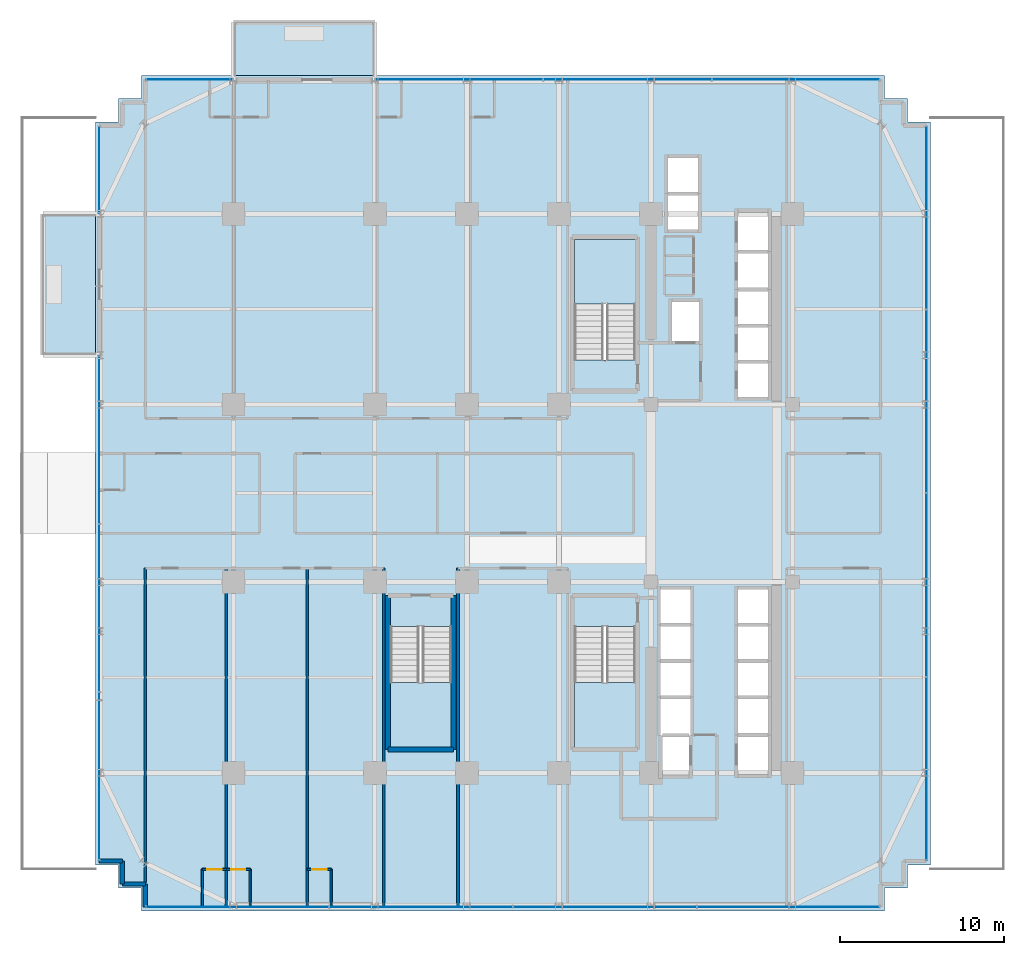
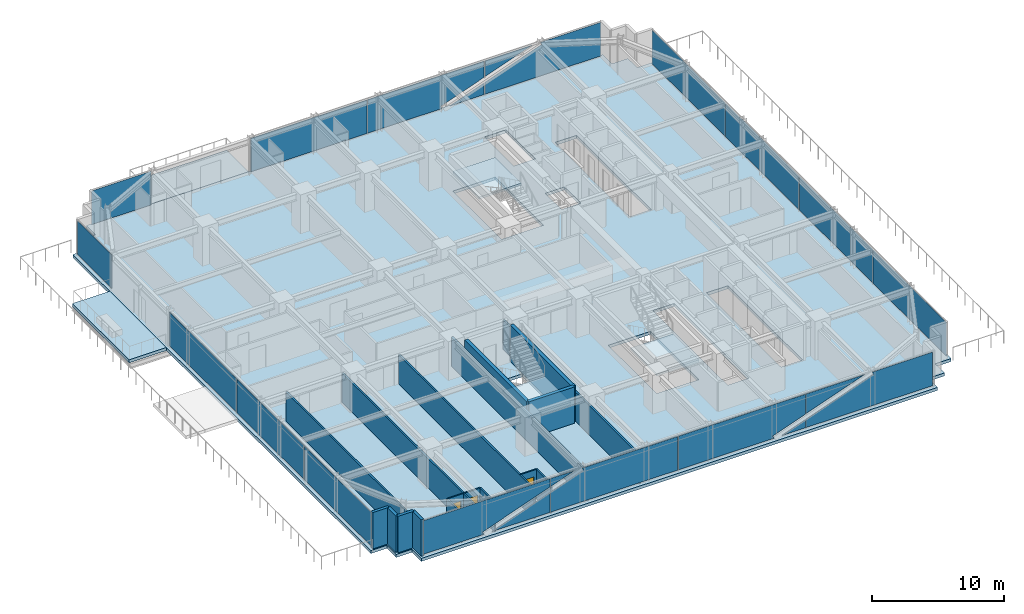
# One storey, part 29 of 39: 18 walls, 16 plates, 6 slabs, 3 doors, 3 openings, 9 elements without a shape of their own.
"""IFC4 building model written with IfcOpenShell, lengths in metres."""

from ifc_helpers import new_model, si_unit, direction, frame, frame_2d, origin, origin_2d, place, context, subcontext, project, spatial, polyline, rectangle, outline, extrude, source, transform, mapped, material, layer, layer_set, type_object, element, fill, aggregate, save


model = new_model("IFC4")

# Units and contexts
model_context = context("Model", 3, precision=1e-05, world=origin(), true_north=direction((0.0, 1.0)))
body_context = subcontext(model_context, "Body", "Model", "MODEL_VIEW")
ifc_project = project(units=[si_unit("LENGTHUNIT", "METRE"), si_unit("AREAUNIT", "SQUARE_METRE"), si_unit("VOLUMEUNIT", "CUBIC_METRE"), si_unit("PLANEANGLEUNIT", "RADIAN"), si_unit("MASSUNIT", "GRAM", prefix="KILO")], contexts=[model_context])

# Site, building, storey
site_placement = place(None, origin())
site = spatial("IfcSite", under=ifc_project, at=site_placement, CompositionType="ELEMENT")
building_placement = place(site_placement, origin())
building = spatial("IfcBuilding", under=site, at=building_placement, Name="Nahalor Promenade Grand Hotel", CompositionType="ELEMENT")
storey_placement = place(building_placement, frame((0.0, 0.0, 32.39990234375)))
storey = spatial("IfcBuildingStorey", under=building, at=storey_placement, Name="L06", CompositionType="ELEMENT", Elevation=32.39990234375)

# Curtain wall, plates
ifc_material_1 = material(Name="Anodised Bronze Aluminium EN AW-6063 T6", Category="aluminium")
curtain_wall_type = type_object("IfcCurtainWallType", Name="CW2 Typical Hotel Flush Bronze Unitised Curtain Wall", PredefinedType="USERDEFINED", material=ifc_material_1)
curtain_wall_1_placement = place(storey_placement, origin())
curtain_wall_1 = element("IfcCurtainWall", 1, at=curtain_wall_1_placement, inside=storey, type_object=curtain_wall_type, Name="L06 Curtain Wall CW-L06-S-1", ObjectType="UNITISED_CURTAIN_WALL", PredefinedType="USERDEFINED")
ifc_material_2 = material(Name="Low-E Laminated Solar Glass", Category="glass")
ifc_layer_1 = layer(ifc_material_2, 0.028076171875)
ifc_layer_set_1 = layer_set([ifc_layer_1], Name="Low-E Laminated Solar Glass")
plate_type = type_object("IfcPlateType", Name="CWP2 Bronze Low-E Vision IGU 28mm", PredefinedType="CURTAIN_PANEL", material=ifc_layer_set_1)
plate_1_placement = place(storey_placement, frame((-16.753662109375, -25.159912109375, 0.1298828125), z_axis=(0.0, 0.0, 1.0), x_axis=(1.0, 0.0, 0.0)))
plate_1 = element("IfcPlate", 2, at=plate_1_placement, type_object=plate_type, Name="CW-L06-S-1 Glazing Panel 0-0", PredefinedType="CURTAIN_PANEL", context=body_context, shape_type="SweptSolid", body=[
    extrude(outline(polyline([(-5.541259765625, 3.110107421875), (-5.541259765625, 0.0), (-0.265625, 0.0), (-0.353759765625, 0.2470703125), (5.541259765625, 2.3515625), (5.541259765625, 3.110107421875), (-5.541259765625, 3.110107421875)])), frame((0.0, 0.01416015625, 0.0), z_axis=(0.0, -1.0, 0.0), x_axis=(1.0, 0.0, 0.0)), (0.0, 0.0, 1.0), 0.028076171875),
    extrude(outline(polyline([(0.44140625, 0.0), (5.541259765625, 0.0), (5.541259765625, 1.820556640625), (0.44140625, 0.0)])), frame((0.0, 0.01416015625, 0.0), z_axis=(0.0, -1.0, 0.0), x_axis=(1.0, 0.0, 0.0)), (0.0, 0.0, 1.0), 0.028076171875),
])
plate_2_placement = place(storey_placement, frame((-5.590087890625, -25.159912109375, 0.1298828125), z_axis=(0.0, 0.0, 1.0), x_axis=(1.0, 0.0, 0.0)))
plate_2 = element("IfcPlate", 3, at=plate_2_placement, type_object=plate_type, Name="CW-L06-S-1 Glazing Panel 1-0", PredefinedType="CURTAIN_PANEL", context=body_context, shape_type="SweptSolid", body=[
    extrude(outline(polyline([(5.5576171875, 0.0), (5.5576171875, 3.110107421875), (-2.79052734375, 3.110107421875), (-2.702392578125, 2.863037109375), (-5.5576171875, 1.84375), (-5.5576171875, 0.0), (5.5576171875, 0.0)])), frame((0.0, 0.01416015625, 0.0), z_axis=(0.0, -1.0, 0.0), x_axis=(1.0, 0.0, 0.0)), (0.0, 0.0, 1.0), 0.028076171875),
    extrude(outline(polyline([(-3.49755859375, 3.110107421875), (-5.5576171875, 3.110107421875), (-5.5576171875, 2.374755859375), (-3.49755859375, 3.110107421875)])), frame((0.0, 0.01416015625, 0.0), z_axis=(0.0, -1.0, 0.0), x_axis=(1.0, 0.0, 0.0)), (0.0, 0.0, 1.0), 0.028076171875),
])
plate_3_placement = place(storey_placement, frame((5.590087890625, -25.159912109375, 0.1298828125), z_axis=(0.0, 0.0, 1.0), x_axis=(1.0, 0.0, 0.0)))
plate_3 = element("IfcPlate", 4, at=plate_3_placement, type_object=plate_type, Name="CW-L06-S-1 Glazing Panel 2-0", PredefinedType="CURTAIN_PANEL", context=body_context, shape_type="SweptSolid", body=[
    extrude(outline(polyline([(-5.5576171875, 3.110107421875), (-5.5576171875, 0.0), (2.79052734375, 0.0), (2.702392578125, 0.2470703125), (5.5576171875, 1.266357421875), (5.5576171875, 3.110107421875), (-5.5576171875, 3.110107421875)])), frame((0.0, 0.01416015625, 0.0), z_axis=(0.0, -1.0, 0.0), x_axis=(1.0, 0.0, 0.0)), (0.0, 0.0, 1.0), 0.028076171875),
    extrude(outline(polyline([(3.49755859375, 0.0), (5.5576171875, 0.0), (5.5576171875, 0.7353515625), (3.49755859375, 0.0)])), frame((0.0, 0.01416015625, 0.0), z_axis=(0.0, -1.0, 0.0), x_axis=(1.0, 0.0, 0.0)), (0.0, 0.0, 1.0), 0.028076171875),
])
plate_4_placement = place(storey_placement, frame((16.753662109375, -25.159912109375, 0.1298828125), z_axis=(0.0, 0.0, 1.0), x_axis=(1.0, 0.0, 0.0)))
plate_4 = element("IfcPlate", 5, at=plate_4_placement, type_object=plate_type, Name="CW-L06-S-1 Glazing Panel 3-0", PredefinedType="CURTAIN_PANEL", context=body_context, shape_type="SweptSolid", body=[
    extrude(outline(polyline([(5.541259765625, 0.0), (5.541259765625, 3.110107421875), (0.265625, 3.110107421875), (0.353759765625, 2.863037109375), (-5.541259765625, 0.758544921875), (-5.541259765625, 0.0), (5.541259765625, 0.0)])), frame((0.0, 0.01416015625, 0.0), z_axis=(0.0, -1.0, 0.0), x_axis=(1.0, 0.0, 0.0)), (0.0, 0.0, 1.0), 0.028076171875),
    extrude(outline(polyline([(-0.44140625, 3.110107421875), (-5.541259765625, 3.110107421875), (-5.541259765625, 1.28955078125), (-0.44140625, 3.110107421875)])), frame((0.0, 0.01416015625, 0.0), z_axis=(0.0, -1.0, 0.0), x_axis=(1.0, 0.0, 0.0)), (0.0, 0.0, 1.0), 0.028076171875),
])
aggregate(curtain_wall_1, [plate_1, plate_2, plate_3, plate_4])

curtain_wall_2_placement = place(storey_placement, origin())
curtain_wall_2 = element("IfcCurtainWall", 6, at=curtain_wall_2_placement, inside=storey, type_object=curtain_wall_type, Name="L06 Curtain Wall CW-L06-N-3", ObjectType="UNITISED_CURTAIN_WALL", PredefinedType="USERDEFINED")
plate_5_placement = place(storey_placement, frame((6.97998046875, 25.159912109375, 0.1298828125), z_axis=(0.0, 0.0, 1.0), x_axis=(1.0, 0.0, 0.0)))
plate_5 = element("IfcPlate", 7, at=plate_5_placement, type_object=plate_type, Name="CW-L06-N-3 Glazing Panel 1-0", PredefinedType="CURTAIN_PANEL", context=body_context, shape_type="SweptSolid", body=[
    extrude(outline(polyline([(-5.09423828125, 3.110107421875), (-5.09423828125, 0.0), (1.400634765625, 0.0), (1.3125, 0.2470703125), (5.09423828125, 1.596923828125), (5.09423828125, 3.110107421875), (-5.09423828125, 3.110107421875)])), frame((0.0, 0.01416015625, 0.0), z_axis=(0.0, -1.0, 0.0), x_axis=(1.0, 0.0, 0.0)), (0.0, 0.0, 1.0), 0.028076171875),
    extrude(outline(polyline([(2.107666015625, 0.0), (5.09423828125, 0.0), (5.09423828125, 1.066162109375), (2.107666015625, 0.0)])), frame((0.0, 0.01416015625, 0.0), z_axis=(0.0, -1.0, 0.0), x_axis=(1.0, 0.0, 0.0)), (0.0, 0.0, 1.0), 0.028076171875),
])
plate_6_placement = place(storey_placement, frame((17.217041015625, 25.159912109375, 0.1298828125), z_axis=(0.0, 0.0, 1.0), x_axis=(1.0, 0.0, 0.0)))
plate_6 = element("IfcPlate", 8, at=plate_6_placement, type_object=plate_type, Name="CW-L06-N-3 Glazing Panel 2-0", PredefinedType="CURTAIN_PANEL", context=body_context, shape_type="SweptSolid", body=[
    extrude(outline(polyline([(5.077880859375, 0.0), (5.077880859375, 3.110107421875), (-0.19775390625, 3.110107421875), (-0.109375, 2.863037109375), (-5.077880859375, 1.08935546875), (-5.077880859375, 0.0), (5.077880859375, 0.0)])), frame((0.0, 0.01416015625, 0.0), z_axis=(0.0, -1.0, 0.0), x_axis=(1.0, 0.0, 0.0)), (0.0, 0.0, 1.0), 0.028076171875),
    extrude(outline(polyline([(-0.90478515625, 3.110107421875), (-5.077880859375, 3.110107421875), (-5.077880859375, 1.620361328125), (-0.90478515625, 3.110107421875)])), frame((0.0, 0.01416015625, 0.0), z_axis=(0.0, -1.0, 0.0), x_axis=(1.0, 0.0, 0.0)), (0.0, 0.0, 1.0), 0.028076171875),
])

# Stair, slab
ifc_material_3 = material(Name="Concrete B-50 (C40/50)", Category="concrete")
stair_type_1 = type_object("IfcStairType", Name="Stair-ST1", PredefinedType="HALF_TURN_STAIR", material=ifc_material_3)
stair_1_placement = place(storey_placement, origin())
stair_1 = element("IfcStair", 9, at=stair_1_placement, inside=storey, type_object=stair_type_1, Name="L06 ST1", PredefinedType="HALF_TURN_STAIR")
ifc_layer_2 = layer(ifc_material_3, 0.199951171875)
ifc_layer_set_2 = layer_set([ifc_layer_2], Name="Concrete B-50 (C40/50)")
slab_type_1 = type_object("IfcSlabType", Name="Landing-ST1", PredefinedType="LANDING", material=ifc_layer_set_2)
slab_1_placement = place(storey_placement, frame((0.0, 0.0, 1.625)))
slab_1 = element("IfcSlab", 10, at=slab_1_placement, type_object=slab_type_1, Name="ST1 landing 1", PredefinedType="LANDING", context=body_context, shape_type="SweptSolid", body=[
    extrude(outline(polyline([(7.449951171875, 11.5), (7.449951171875, 15.449951171875), (3.75, 15.449951171875), (3.75, 11.5), (7.449951171875, 11.5)])), origin(), (0.0, 0.0, 1.0), 0.2001953125),
])
aggregate(stair_1, [slab_1])

stair_type_2 = type_object("IfcStairType", Name="Stair-ST2", PredefinedType="HALF_TURN_STAIR", material=ifc_material_3)
stair_2_placement = place(storey_placement, origin())
stair_2 = element("IfcStair", 11, at=stair_2_placement, inside=storey, type_object=stair_type_2, Name="L06 ST2", PredefinedType="HALF_TURN_STAIR")
ifc_layer_3 = layer(ifc_material_3, 0.2099609375)
ifc_layer_set_3 = layer_set([ifc_layer_3], Name="Concrete B-50 (C40/50)")
slab_type_2 = type_object("IfcSlabType", Name="Landing-ST2", PredefinedType="LANDING", material=ifc_layer_set_3)
slab_2_placement = place(storey_placement, frame((0.0, 0.0, 1.614990234375)))
slab_2 = element("IfcSlab", 12, at=slab_2_placement, type_object=slab_type_2, Name="ST2 landing 1", PredefinedType="LANDING", context=body_context, shape_type="SweptSolid", body=[
    extrude(outline(polyline([(3.75, -11.5), (3.75, -15.449951171875), (7.449951171875, -15.449951171875), (7.449951171875, -11.5), (3.75, -11.5)])), origin(), (0.0, 0.0, 1.0), 0.210205078125),
])
aggregate(stair_2, [slab_2])

stair_type_3 = type_object("IfcStairType", Name="Stair-ST3", PredefinedType="HALF_TURN_STAIR", material=ifc_material_3)
stair_3_placement = place(storey_placement, origin())
stair_3 = element("IfcStair", 13, at=stair_3_placement, inside=storey, type_object=stair_type_3, Name="L06 ST3", PredefinedType="HALF_TURN_STAIR")
ifc_layer_4 = layer(ifc_material_3, 0.219970703125)
ifc_layer_set_4 = layer_set([ifc_layer_4], Name="Concrete B-50 (C40/50)")
slab_type_3 = type_object("IfcSlabType", Name="Landing-ST3", PredefinedType="LANDING", material=ifc_layer_set_4)
slab_3_placement = place(storey_placement, frame((0.0, 0.0, 1.60498046875)))
slab_3 = element("IfcSlab", 14, at=slab_3_placement, type_object=slab_type_3, Name="ST3 landing 1", PredefinedType="LANDING", context=body_context, shape_type="SweptSolid", body=[
    extrude(outline(polyline([(-7.449951171875, -11.5), (-7.449951171875, -15.449951171875), (-3.75, -15.449951171875), (-3.75, -11.5), (-7.449951171875, -11.5)])), origin(), (0.0, 0.0, 1.0), 0.22021484375),
])
aggregate(stair_3, [slab_3])

# Slabs
ifc_layer_5 = layer(ifc_material_3, 0.280029296875)
ifc_layer_set_5 = layer_set([ifc_layer_5], Name="Concrete B-50 (C40/50)")
slab_type_4 = type_object("IfcSlabType", Name="Slab-Balcony-280", PredefinedType="FLOOR", material=ifc_layer_set_5)
slab_4_placement = place(storey_placement, frame((0.0, 0.0, -0.27978515625)))
element("IfcSlab", 15, at=slab_4_placement, inside=storey, type_object=slab_type_4, Name="L06 Cantilevered Planted Balcony 1", PredefinedType="FLOOR", context=body_context, shape_type="SweptSolid", body=[
    extrude(outline(polyline([(-17.0, 25.39990234375), (-8.39990234375, 25.39990234375), (-8.39990234375, 28.719970703125), (-17.0, 28.719970703125), (-17.0, 25.39990234375)])), origin(), (0.0, 0.0, 1.0), 0.27978515625),
])
slab_5_placement = place(storey_placement, frame((0.0, 0.0, -0.27978515625)))
element("IfcSlab", 16, at=slab_5_placement, inside=storey, type_object=slab_type_4, Name="L06 Cantilevered Planted Balcony 2", PredefinedType="FLOOR", context=body_context, shape_type="SweptSolid", body=[
    extrude(outline(polyline([(-28.669921875, 8.39990234375), (-25.39990234375, 8.39990234375), (-25.39990234375, 17.0), (-28.669921875, 17.0), (-28.669921875, 8.39990234375)])), origin(), (0.0, 0.0, 1.0), 0.27978515625),
])
ifc_layer_6 = layer(ifc_material_3, 0.280029296875)
ifc_layer_set_6 = layer_set([ifc_layer_6], Name="Concrete B-50 (C40/50)")
slab_type_5 = type_object("IfcSlabType", Name="Slab-TowerZ1-280", PredefinedType="FLOOR", material=ifc_layer_set_6)
slab_6_placement = place(storey_placement, frame((0.0, 0.0, -0.27978515625)))
element("IfcSlab", 17, at=slab_6_placement, inside=storey, type_object=slab_type_5, Name="L06 Suspended Structural Floor Slab", PredefinedType="FLOOR", context=body_context, shape_type="SweptSolid", body=[
    extrude(outline(polyline([(-22.60009765625, -25.39990234375), (22.60009765625, -25.39990234375), (22.60009765625, -24.0), (24.0, -24.0), (24.0, -22.60009765625), (25.39990234375, -22.60009765625), (25.39990234375, 22.60009765625), (24.0, 22.60009765625), (24.0, 24.0), (22.60009765625, 24.0), (22.60009765625, 25.39990234375), (-22.60009765625, 25.39990234375), (-22.60009765625, 24.0), (-24.0, 24.0), (-24.0, 22.60009765625), (-25.39990234375, 22.60009765625), (-25.39990234375, -22.60009765625), (-24.0, -22.60009765625), (-24.0, -24.0), (-22.60009765625, -24.0), (-22.60009765625, -25.39990234375)]), holes=[polyline([(3.75, 8.10009765625), (7.449951171875, 8.10009765625), (7.449951171875, 15.449951171875), (3.75, 15.449951171875), (3.75, 8.10009765625)]), polyline([(3.75, -15.449951171875), (7.449951171875, -15.449951171875), (7.449951171875, -8.10009765625), (3.75, -8.10009765625), (3.75, -15.449951171875)]), polyline([(-7.449951171875, -15.449951171875), (-3.75, -15.449951171875), (-3.75, -8.10009765625), (-7.449951171875, -8.10009765625), (-7.449951171875, -15.449951171875)]), polyline([(13.659912109375, 5.81005859375), (15.5400390625, 5.81005859375), (15.5400390625, 17.139892578125), (13.659912109375, 17.139892578125), (13.659912109375, 5.81005859375)]), polyline([(13.659912109375, -17.139892578125), (15.5400390625, -17.139892578125), (15.5400390625, -5.81005859375), (13.659912109375, -5.81005859375), (13.659912109375, -17.139892578125)]), polyline([(8.9599609375, -17.18994140625), (10.840087890625, -17.18994140625), (10.840087890625, -5.81005859375), (8.9599609375, -5.81005859375), (8.9599609375, -17.18994140625)]), polyline([(9.409912109375, 16.010009765625), (11.2900390625, 16.010009765625), (11.2900390625, 20.43994140625), (9.409912109375, 20.43994140625), (9.409912109375, 16.010009765625)]), polyline([(9.659912109375, 9.2099609375), (11.340087890625, 9.2099609375), (11.340087890625, 11.68994140625), (9.659912109375, 11.68994140625), (9.659912109375, 9.2099609375)])]), origin(), (0.0, 0.0, 1.0), 0.27978515625),
])

# Curtain wall, plate
curtain_wall_3_placement = place(storey_placement, origin())
curtain_wall_3 = element("IfcCurtainWall", 18, at=curtain_wall_3_placement, inside=storey, type_object=curtain_wall_type, Name="L06 Curtain Wall CW-L06-N-1", ObjectType="UNITISED_CURTAIN_WALL", PredefinedType="USERDEFINED")
shared_shape_1 = source(origin(), body_context, "Body", "SweptSolid", [
    extrude(rectangle(XDim=5.22998046875, YDim=0.028076171875, at=origin_2d()), origin(), (0.0, 0.0, 1.0), 3.110107421875),
])
plate_7_placement = place(storey_placement, frame((-19.679931640625, 25.159912109375, 0.1298828125), z_axis=(0.0, 0.0, 1.0), x_axis=(1.0, 0.0, 0.0)))
plate_7 = element("IfcPlate", 19, at=plate_7_placement, type_object=plate_type, Name="CW-L06-N-1 Glazing Panel 0-0", PredefinedType="CURTAIN_PANEL", context=body_context, shape_type="MappedRepresentation", body=[
    mapped(shared_shape_1, transform((0.0, 0.0, 0.0), scale=1.0)),
])
aggregate(curtain_wall_3, [plate_7])

curtain_wall_4_placement = place(storey_placement, origin())
curtain_wall_4 = element("IfcCurtainWall", 20, at=curtain_wall_4_placement, inside=storey, type_object=curtain_wall_type, Name="L06 Curtain Wall CW-L06-W-3", ObjectType="UNITISED_CURTAIN_WALL", PredefinedType="USERDEFINED")
plate_8_placement = place(storey_placement, frame((-25.159912109375, 19.679931640625, 0.1298828125), z_axis=(0.0, 0.0, 1.0), x_axis=(0.0, 1.0, 0.0)))
plate_8 = element("IfcPlate", 21, at=plate_8_placement, type_object=plate_type, Name="CW-L06-W-3 Glazing Panel 0-0", PredefinedType="CURTAIN_PANEL", context=body_context, shape_type="MappedRepresentation", body=[
    mapped(shared_shape_1, transform((0.0, 0.0, 0.0), scale=1.0)),
])
aggregate(curtain_wall_4, [plate_8])

# Plate
shared_shape_2 = source(origin(), body_context, "Body", "SweptSolid", [
    extrude(rectangle(XDim=10.15576171875, YDim=0.028076171875, at=origin_2d()), origin(), (0.0, 0.0, 1.0), 3.110107421875),
])
plate_9_placement = place(storey_placement, frame((-3.257080078125, 25.159912109375, 0.1298828125), z_axis=(0.0, 0.0, 1.0), x_axis=(1.0, 0.0, 0.0)))
plate_9 = element("IfcPlate", 22, at=plate_9_placement, type_object=plate_type, Name="CW-L06-N-3 Glazing Panel 0-0", PredefinedType="CURTAIN_PANEL", context=body_context, shape_type="MappedRepresentation", body=[
    mapped(shared_shape_2, transform((0.0, 0.0, 0.0), scale=1.0)),
])

aggregate(curtain_wall_2, [plate_9, plate_5, plate_6])

# Curtain wall, plates
curtain_wall_5_placement = place(storey_placement, origin())
curtain_wall_5 = element("IfcCurtainWall", 23, at=curtain_wall_5_placement, inside=storey, type_object=curtain_wall_type, Name="L06 Curtain Wall CW-L06-W-1", ObjectType="UNITISED_CURTAIN_WALL", PredefinedType="USERDEFINED")
plate_10_placement = place(storey_placement, frame((-25.159912109375, -17.217041015625, 0.1298828125), z_axis=(0.0, 0.0, 1.0), x_axis=(0.0, 1.0, 0.0)))
plate_10 = element("IfcPlate", 24, at=plate_10_placement, type_object=plate_type, Name="CW-L06-W-1 Glazing Panel 0-0", PredefinedType="CURTAIN_PANEL", context=body_context, shape_type="MappedRepresentation", body=[
    mapped(shared_shape_2, transform((0.0, 0.0, 0.0), scale=1.0)),
])
plate_11_placement = place(storey_placement, frame((-25.159912109375, 3.257080078125, 0.1298828125), z_axis=(0.0, 0.0, 1.0), x_axis=(0.0, 1.0, 0.0)))
plate_11 = element("IfcPlate", 25, at=plate_11_placement, type_object=plate_type, Name="CW-L06-W-1 Glazing Panel 2-0", PredefinedType="CURTAIN_PANEL", context=body_context, shape_type="MappedRepresentation", body=[
    mapped(shared_shape_2, transform((0.0, 0.0, 0.0), scale=1.0)),
])
shared_shape_3 = source(origin(), body_context, "Body", "SweptSolid", [
    extrude(rectangle(XDim=10.188232421875, YDim=0.028076171875, at=origin_2d()), origin(), (0.0, 0.0, 1.0), 3.110107421875),
])
plate_12_placement = place(storey_placement, frame((-25.159912109375, -6.97998046875, 0.1298828125), z_axis=(0.0, 0.0, 1.0), x_axis=(0.0, 1.0, 0.0)))
plate_12 = element("IfcPlate", 26, at=plate_12_placement, type_object=plate_type, Name="CW-L06-W-1 Glazing Panel 1-0", PredefinedType="CURTAIN_PANEL", context=body_context, shape_type="MappedRepresentation", body=[
    mapped(shared_shape_3, transform((0.0, 0.0, 0.0), scale=1.0)),
])
aggregate(curtain_wall_5, [plate_10, plate_12, plate_11])

curtain_wall_6_placement = place(storey_placement, origin())
curtain_wall_6 = element("IfcCurtainWall", 27, at=curtain_wall_6_placement, inside=storey, type_object=curtain_wall_type, Name="L06 Curtain Wall CW-L06-E-1", ObjectType="UNITISED_CURTAIN_WALL", PredefinedType="USERDEFINED")
shared_shape_4 = source(origin(), body_context, "Body", "SweptSolid", [
    extrude(rectangle(XDim=11.08251953125, YDim=0.028076171875, at=origin_2d()), origin(), (0.0, 0.0, 1.0), 3.110107421875),
])
plate_13_placement = place(storey_placement, frame((25.159912109375, -16.753662109375, 0.1298828125), z_axis=(0.0, 0.0, 1.0), x_axis=(0.0, 1.0, 0.0)))
plate_13 = element("IfcPlate", 28, at=plate_13_placement, type_object=plate_type, Name="CW-L06-E-1 Glazing Panel 0-0", PredefinedType="CURTAIN_PANEL", context=body_context, shape_type="MappedRepresentation", body=[
    mapped(shared_shape_4, transform((0.0, 0.0, 0.0), scale=1.0)),
])
plate_14_placement = place(storey_placement, frame((25.159912109375, 16.753662109375, 0.1298828125), z_axis=(0.0, 0.0, 1.0), x_axis=(0.0, 1.0, 0.0)))
plate_14 = element("IfcPlate", 29, at=plate_14_placement, type_object=plate_type, Name="CW-L06-E-1 Glazing Panel 3-0", PredefinedType="CURTAIN_PANEL", context=body_context, shape_type="MappedRepresentation", body=[
    mapped(shared_shape_4, transform((0.0, 0.0, 0.0), scale=1.0)),
])
shared_shape_5 = source(origin(), body_context, "Body", "SweptSolid", [
    extrude(rectangle(XDim=11.114990234375, YDim=0.028076171875, at=origin_2d()), origin(), (0.0, 0.0, 1.0), 3.110107421875),
])
plate_15_placement = place(storey_placement, frame((25.159912109375, -5.590087890625, 0.1298828125), z_axis=(0.0, 0.0, 1.0), x_axis=(0.0, 1.0, 0.0)))
plate_15 = element("IfcPlate", 30, at=plate_15_placement, type_object=plate_type, Name="CW-L06-E-1 Glazing Panel 1-0", PredefinedType="CURTAIN_PANEL", context=body_context, shape_type="MappedRepresentation", body=[
    mapped(shared_shape_5, transform((0.0, 0.0, 0.0), scale=1.0)),
])
plate_16_placement = place(storey_placement, frame((25.159912109375, 5.590087890625, 0.1298828125), z_axis=(0.0, 0.0, 1.0), x_axis=(0.0, 1.0, 0.0)))
plate_16 = element("IfcPlate", 31, at=plate_16_placement, type_object=plate_type, Name="CW-L06-E-1 Glazing Panel 2-0", PredefinedType="CURTAIN_PANEL", context=body_context, shape_type="MappedRepresentation", body=[
    mapped(shared_shape_5, transform((0.0, 0.0, 0.0), scale=1.0)),
])
aggregate(curtain_wall_6, [plate_13, plate_15, plate_16, plate_14])

# Walls
ifc_layer_7 = layer(ifc_material_3, 0.300048828125)
ifc_layer_set_7 = layer_set([ifc_layer_7], Name="Concrete B-50 (C40/50)")
wall_type_1 = type_object("IfcWallType", Name="Wall-ShaftShear-300", PredefinedType="SHEAR", material=ifc_layer_set_7)
shared_shape_6 = source(origin(), body_context, "Body", "SweptSolid", [
    extrude(rectangle(XDim=3.97998046875, YDim=0.300048828125, at=frame_2d((1.989990234375, 0.0))), origin(), (0.0, 0.0, 1.0), 3.3701171875),
])
wall_1_placement = place(storey_placement, frame((-7.590087890625, -15.590087890625, 0.0), z_axis=(0.0, 0.0, 1.0), x_axis=(1.0, 0.0, 0.0)))
element("IfcWall", 32, at=wall_1_placement, inside=storey, type_object=wall_type_1, Name="L06 Exit Stair ST3 Shaft Wall S", PredefinedType="SHEAR", context=body_context, shape_type="MappedRepresentation", body=[
    mapped(shared_shape_6, transform((0.0, 0.0, 0.0), scale=1.0)),
])
shared_shape_7 = source(origin(), body_context, "Body", "SweptSolid", [
    extrude(rectangle(XDim=9.380126953125, YDim=0.300048828125, at=frame_2d((4.68994140625, 0.0))), origin(), (0.0, 0.0, 1.0), 3.3701171875),
])
for number, where, z_axis, x_axis, name in (
    (33, (-7.590087890625, -15.590087890625, 0.0), (0.0, 0.0, 1.0), (0.0, 1.0, 0.0), "L06 Exit Stair ST3 Shaft Wall W"),
    (34, (-3.610107421875, -15.590087890625, 0.0), (0.0, 0.0, 1.0), (0.0, 1.0, 0.0), "L06 Exit Stair ST3 Shaft Wall E"),
):
    element("IfcWall", number, at=place(storey_placement, frame(where, z_axis=z_axis, x_axis=x_axis)), inside=storey, type_object=wall_type_1, Name=name, PredefinedType="SHEAR", context=body_context, shape_type="MappedRepresentation", body=[
        mapped(shared_shape_7, transform((0.0, 0.0, 0.0), scale=1.0)),
    ])
ifc_material_4 = material(Name="Concrete B-40 (C32/40)", Category="concrete")
ifc_layer_8 = layer(ifc_material_4, 0.25)
ifc_layer_set_8 = layer_set([ifc_layer_8], Name="Concrete B-40 (C32/40)")
wall_type_2 = type_object("IfcWallType", Name="Wall-BronzePier-250", PredefinedType="STANDARD", material=ifc_layer_set_8)
shared_shape_8 = source(origin(), body_context, "Body", "SweptSolid", [
    extrude(rectangle(XDim=1.39990234375, YDim=0.25, at=frame_2d((0.699951171875, 0.0))), origin(), (0.0, 0.0, 1.0), 3.3701171875),
])
for number, where, z_axis, x_axis, name in (
    (35, (-25.159912109375, -22.360107421875, 0.0), (0.0, 0.0, 1.0), (1.0, 0.0, 0.0), "W-L06-SR-13"),
    (36, (-23.760009765625, -23.760009765625, 0.0), (0.0, 0.0, 1.0), (0.0, 1.0, 0.0), "W-L06-SR-14"),
    (37, (-23.760009765625, -23.760009765625, 0.0), (0.0, 0.0, 1.0), (1.0, 0.0, 0.0), "W-L06-SR-15"),
    (38, (-22.360107421875, -25.159912109375, 0.0), (0.0, 0.0, 1.0), (0.0, 1.0, 0.0), "W-L06-SR-16"),
):
    element("IfcWall", number, at=place(storey_placement, frame(where, z_axis=z_axis, x_axis=x_axis)), inside=storey, type_object=wall_type_2, Name=name, PredefinedType="STANDARD", context=body_context, shape_type="MappedRepresentation", body=[
        mapped(shared_shape_8, transform((0.0, 0.0, 0.0), scale=1.0)),
    ])
ifc_material_5 = material(Name="Acoustic Mineral Gypsum", Category="gypsum")
ifc_layer_9 = layer(ifc_material_5, 0.159912109375)
ifc_layer_set_9 = layer_set([ifc_layer_9], Name="Acoustic Mineral Gypsum")
wall_type_3 = type_object("IfcWallType", Name="Wall-PartCorridor-160", PredefinedType="PARTITIONING", material=ifc_layer_set_9)
shared_shape_9 = source(origin(), body_context, "Body", "SweptSolid", [
    extrude(rectangle(XDim=20.550048828125, YDim=0.159912109375, at=frame_2d((10.27490234375, 0.0))), origin(), (0.0, 0.0, 1.0), 2.710205078125),
])
wall_2_placement = place(storey_placement, frame((-3.340087890625, -25.10009765625, 0.0), z_axis=(0.0, 0.0, 1.0), x_axis=(0.0, 1.0, 0.0)))
element("IfcWall", 39, at=wall_2_placement, inside=storey, type_object=wall_type_3, Name="W-L06-SCB-W", PredefinedType="PARTITIONING", context=body_context, shape_type="MappedRepresentation", body=[
    mapped(shared_shape_9, transform((0.0, 0.0, 0.0), scale=1.0)),
])
ifc_layer_10 = layer(ifc_material_5, 0.139892578125)
ifc_layer_set_10 = layer_set([ifc_layer_10], Name="Acoustic Mineral Gypsum")
wall_type_4 = type_object("IfcWallType", Name="Wall-PartSuite-140", PredefinedType="PARTITIONING", material=ifc_layer_set_10)
shared_shape_10 = source(origin(), body_context, "Body", "SweptSolid", [
    extrude(rectangle(XDim=19.1298828125, YDim=0.139892578125, at=frame_2d((9.56494140625, 0.0))), origin(), (0.0, 0.0, 1.0), 2.710205078125),
])
wall_3_placement = place(storey_placement, frame((-22.360107421875, -23.679931640625, 0.0), z_axis=(0.0, 0.0, 1.0), x_axis=(0.0, 1.0, 0.0)))
element("IfcWall", 40, at=wall_3_placement, inside=storey, type_object=wall_type_4, Name="W-L06-SW-ENDW", PredefinedType="PARTITIONING", context=body_context, shape_type="MappedRepresentation", body=[
    mapped(shared_shape_10, transform((0.0, 0.0, 0.0), scale=1.0)),
])
shared_shape_11 = source(origin(), body_context, "Body", "SweptSolid", [
    extrude(rectangle(XDim=20.550048828125, YDim=0.139892578125, at=frame_2d((10.27490234375, 0.0))), origin(), (0.0, 0.0, 1.0), 2.710205078125),
])
for number, where, z_axis, x_axis, name in (
    (41, (-7.860107421875, -25.10009765625, 0.0), (0.0, 0.0, 1.0), (0.0, 1.0, 0.0), "W-L06-SW-ENDE"),
    (42, (-17.429931640625, -25.10009765625, 0.0), (0.0, 0.0, 1.0), (0.0, 1.0, 0.0), "W-L06-SP-1"),
    (43, (-12.5, -25.10009765625, 0.0), (0.0, 0.0, 1.0), (0.0, 1.0, 0.0), "W-L06-SP-2"),
):
    element("IfcWall", number, at=place(storey_placement, frame(where, z_axis=z_axis, x_axis=x_axis)), inside=storey, type_object=wall_type_4, Name=name, PredefinedType="PARTITIONING", context=body_context, shape_type="MappedRepresentation", body=[
        mapped(shared_shape_11, transform((0.0, 0.0, 0.0), scale=1.0)),
    ])

# Wall, opening, door
ifc_layer_11 = layer(ifc_material_5, 0.1201171875)
ifc_layer_set_11 = layer_set([ifc_layer_11], Name="Acoustic Mineral Gypsum")
wall_type_5 = type_object("IfcWallType", Name="Wall-PartBath-120", PredefinedType="PARTITIONING", material=ifc_layer_set_11)
shared_shape_12 = source(origin(), body_context, "Body", "SweptSolid", [
    extrude(rectangle(XDim=1.449951171875, YDim=0.1201171875, at=frame_2d((0.72509765625, 0.0))), origin(), (0.0, 0.0, 1.0), 2.710205078125),
])
wall_4_placement = place(storey_placement, frame((-18.8798828125, -22.8798828125, 0.0), z_axis=(0.0, 0.0, 1.0), x_axis=(1.0, 0.0, 0.0)))
wall_4 = element("IfcWall", 44, at=wall_4_placement, inside=storey, type_object=wall_type_5, Name="W-L06-S1-BH", PredefinedType="PARTITIONING", context=body_context, shape_type="MappedRepresentation", body=[
    mapped(shared_shape_12, transform((0.0, 0.0, 0.0), scale=1.0)),
])
opening_1_placement = place(wall_4_placement, frame((0.284912109375, 0.0, 0.0)))
opening_1 = element("IfcOpeningElement", 45, at=opening_1_placement, cuts=wall_4, Name="Opening D-03", PredefinedType="OPENING", context=body_context, shape_type="SweptSolid", body=[
    extrude(rectangle(XDim=0.8798828125, YDim=2.10009765625, at=frame_2d((0.43994140625, 1.050048828125))), frame((0.0, 0.070068359375, 0.0), z_axis=(0.0, -1.0, 0.0), x_axis=(1.0, 0.0, 0.0)), (0.0, 0.0, 1.0), 0.14013671875),
])
ifc_material_6 = material(Name="Fire-Rated Timber Composite", Category="wood")
door_type = type_object("IfcDoorType", Name="Door-BathSwing-880", OperationType="NOTDEFINED", PredefinedType="DOOR", material=ifc_material_6)
shared_shape_13 = source(origin(), body_context, "Body", "SweptSolid", [
    extrude(rectangle(XDim=0.8798828125, YDim=2.10009765625, at=frame_2d((0.43994140625, 1.050048828125))), frame((0.0, 0.02490234375, 0.0), z_axis=(0.0, -1.0, 0.0), x_axis=(1.0, 0.0, 0.0)), (0.0, 0.0, 1.0), 0.050048828125),
])
door_1_placement = place(opening_1_placement, frame((0.8798828125, 0.0, 0.0), z_axis=(0.0, 0.0, 1.0), x_axis=(-1.0, 0.0, 0.0)))
door_1 = element("IfcDoor", 46, at=door_1_placement, inside=storey, type_object=door_type, Name="DR-L06-S1-BATH", OperationType="SINGLE_SWING_LEFT", OverallHeight=2.10009765625, OverallWidth=0.8798828125, PredefinedType="DOOR", context=body_context, shape_type="MappedRepresentation", body=[
    mapped(shared_shape_13, transform((0.0, 0.0, 0.0), scale=1.0)),
])
fill(opening_1, door_1)

wall_5_placement = place(storey_placement, frame((-17.429931640625, -22.8798828125, 0.0), z_axis=(0.0, 0.0, 1.0), x_axis=(1.0, 0.0, 0.0)))
wall_5 = element("IfcWall", 47, at=wall_5_placement, inside=storey, type_object=wall_type_5, Name="W-L06-S2-BH", PredefinedType="PARTITIONING", context=body_context, shape_type="MappedRepresentation", body=[
    mapped(shared_shape_12, transform((0.0, 0.0, 0.0), scale=1.0)),
])
opening_2_placement = place(wall_5_placement, frame((0.284912109375, 0.0, 0.0)))
opening_2 = element("IfcOpeningElement", 48, at=opening_2_placement, cuts=wall_5, Name="Opening D-03", PredefinedType="OPENING", context=body_context, shape_type="SweptSolid", body=[
    extrude(rectangle(XDim=0.8798828125, YDim=2.10009765625, at=frame_2d((0.43994140625, 1.050048828125))), frame((0.0, 0.070068359375, 0.0), z_axis=(0.0, -1.0, 0.0), x_axis=(1.0, 0.0, 0.0)), (0.0, 0.0, 1.0), 0.14013671875),
])
door_2_placement = place(opening_2_placement, frame((0.8798828125, 0.0, 0.0), z_axis=(0.0, 0.0, 1.0), x_axis=(-1.0, 0.0, 0.0)))
door_2 = element("IfcDoor", 49, at=door_2_placement, inside=storey, type_object=door_type, Name="DR-L06-S2-BATH", OperationType="SINGLE_SWING_LEFT", OverallHeight=2.10009765625, OverallWidth=0.8798828125, PredefinedType="DOOR", context=body_context, shape_type="MappedRepresentation", body=[
    mapped(shared_shape_13, transform((0.0, 0.0, 0.0), scale=1.0)),
])
fill(opening_2, door_2)

wall_6_placement = place(storey_placement, frame((-12.5, -22.8798828125, 0.0), z_axis=(0.0, 0.0, 1.0), x_axis=(1.0, 0.0, 0.0)))
wall_6 = element("IfcWall", 50, at=wall_6_placement, inside=storey, type_object=wall_type_5, Name="W-L06-S3-BH", PredefinedType="PARTITIONING", context=body_context, shape_type="MappedRepresentation", body=[
    mapped(shared_shape_12, transform((0.0, 0.0, 0.0), scale=1.0)),
])
opening_3_placement = place(wall_6_placement, frame((0.284912109375, 0.0, 0.0)))
opening_3 = element("IfcOpeningElement", 51, at=opening_3_placement, cuts=wall_6, Name="Opening D-03", PredefinedType="OPENING", context=body_context, shape_type="SweptSolid", body=[
    extrude(rectangle(XDim=0.8798828125, YDim=2.10009765625, at=frame_2d((0.43994140625, 1.050048828125))), frame((0.0, 0.070068359375, 0.0), z_axis=(0.0, -1.0, 0.0), x_axis=(1.0, 0.0, 0.0)), (0.0, 0.0, 1.0), 0.14013671875),
])
door_3_placement = place(opening_3_placement, frame((0.8798828125, 0.0, 0.0), z_axis=(0.0, 0.0, 1.0), x_axis=(-1.0, 0.0, 0.0)))
door_3 = element("IfcDoor", 52, at=door_3_placement, inside=storey, type_object=door_type, Name="DR-L06-S3-BATH", OperationType="SINGLE_SWING_LEFT", OverallHeight=2.10009765625, OverallWidth=0.8798828125, PredefinedType="DOOR", context=body_context, shape_type="MappedRepresentation", body=[
    mapped(shared_shape_13, transform((0.0, 0.0, 0.0), scale=1.0)),
])
fill(opening_3, door_3)

# Walls
shared_shape_14 = source(origin(), body_context, "Body", "SweptSolid", [
    extrude(rectangle(XDim=2.22021484375, YDim=0.1201171875, at=frame_2d((1.110107421875, 0.0))), origin(), (0.0, 0.0, 1.0), 2.710205078125),
])
for number, where, z_axis, x_axis, name in (
    (53, (-18.8798828125, -25.10009765625, 0.0), (0.0, 0.0, 1.0), (0.0, 1.0, 0.0), "W-L06-S1-BV"),
    (54, (-15.97998046875, -25.10009765625, 0.0), (0.0, 0.0, 1.0), (0.0, 1.0, 0.0), "W-L06-S2-BV"),
    (55, (-11.050048828125, -25.10009765625, 0.0), (0.0, 0.0, 1.0), (0.0, 1.0, 0.0), "W-L06-S3-BV"),
):
    element("IfcWall", number, at=place(storey_placement, frame(where, z_axis=z_axis, x_axis=x_axis)), inside=storey, type_object=wall_type_5, Name=name, PredefinedType="PARTITIONING", context=body_context, shape_type="MappedRepresentation", body=[
        mapped(shared_shape_14, transform((0.0, 0.0, 0.0), scale=1.0)),
    ])

save(model, "model.ifc")
